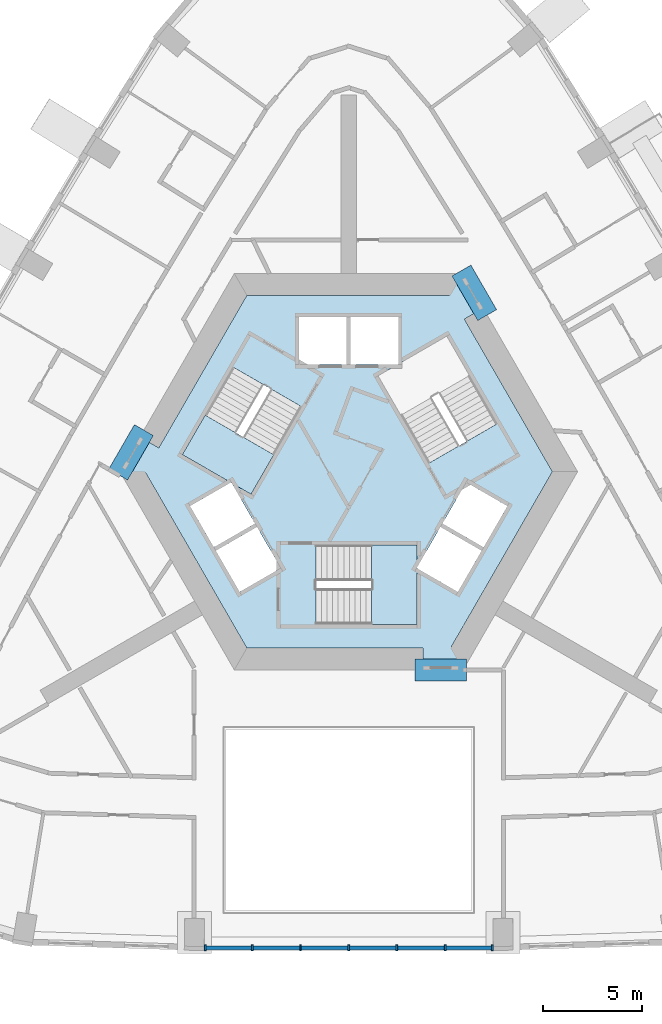
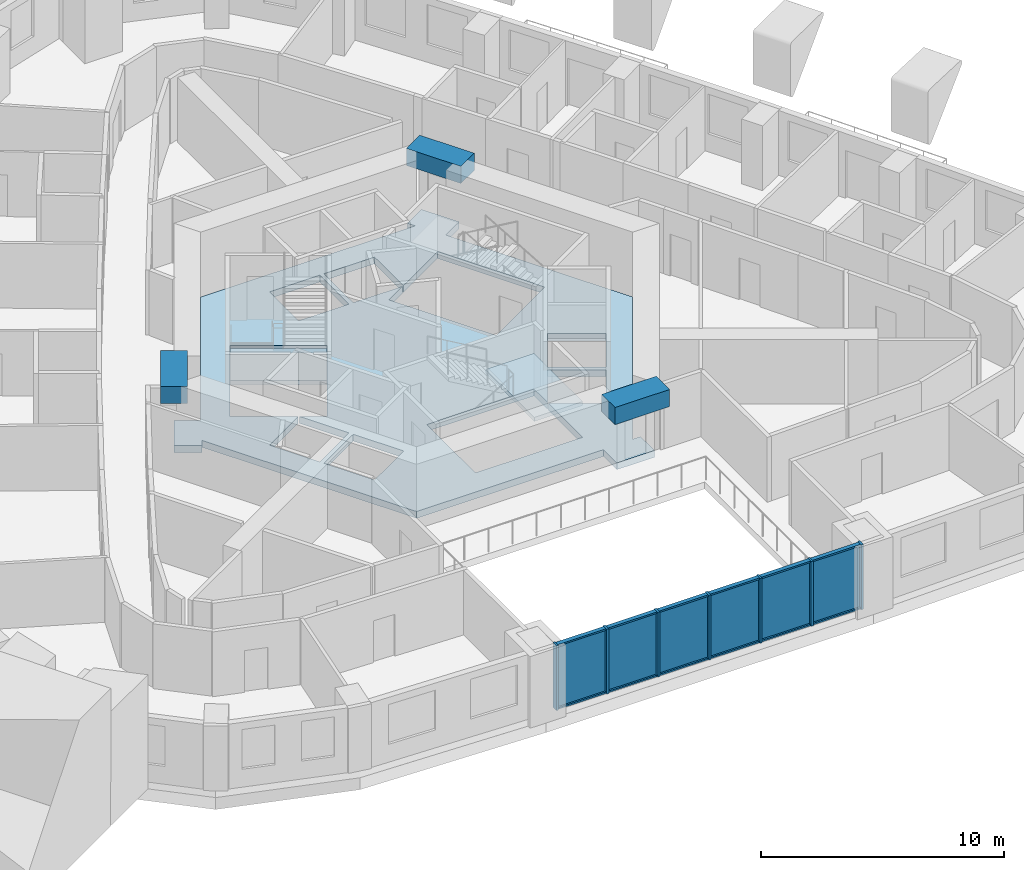
# One storey, part 2 of 12: 19 members, 6 plates, 3 beams, 3 slabs, 3 elements without a shape of their own.
"""IFC4 building model written with IfcOpenShell, lengths in metres."""

from ifc_helpers import new_model, si_unit, direction, frame, origin, origin_2d, place, context, subcontext, project, spatial, polyline, rectangle, outline, extrude, material, layer, layer_set, material_profile, profile_set, type_object, element, aggregate, save


model = new_model("IFC4")

# Units and contexts
model_context = context("Model", 3, precision=1e-05, world=origin(), true_north=direction((0.0, 1.0)))
body_context = subcontext(model_context, "Body", "Model", "MODEL_VIEW")
ifc_project = project(units=[si_unit("LENGTHUNIT", "METRE"), si_unit("AREAUNIT", "SQUARE_METRE"), si_unit("VOLUMEUNIT", "CUBIC_METRE"), si_unit("PLANEANGLEUNIT", "RADIAN"), si_unit("MASSUNIT", "GRAM", prefix="KILO")], contexts=[model_context])

# Site, building, storey
site_placement = place(None, origin())
site = spatial("IfcSite", under=ifc_project, at=site_placement, CompositionType="ELEMENT")
building_placement = place(site_placement, origin())
building = spatial("IfcBuilding", under=site, at=building_placement, Name="Entoto Arch Interchange Tower", CompositionType="ELEMENT")
storey_placement = place(building_placement, frame((0.0, 0.0, 273.800048828125)))
storey = spatial("IfcBuildingStorey", under=building, at=storey_placement, Name="L63", CompositionType="ELEMENT", Elevation=273.800048828125)

# Beams
ifc_material_1 = material(Name="Concrete C40/50", Category="concrete")
ifc_material_profile_1 = material_profile(ifc_material_1, rectangle(XDim=1.10009765625, YDim=0.860107421875, at=origin_2d()))
ifc_profile_set_1 = profile_set([ifc_material_profile_1], Name="Concrete C40/50")
beam_type = type_object("IfcBeamType", Name="Coupling beam RC 1100x860 C40/50", PredefinedType="BEAM", material=ifc_profile_set_1)
beam_1_placement = place(storey_placement, frame((6.986083984375, 10.40087890625, 2.829833984375), z_axis=(-0.500379508478, 0.865806183562, 0.0), x_axis=(-0.865806183562, -0.500379508478, 0.0)))
element("IfcBeam", 1, at=beam_1_placement, inside=storey, type_object=beam_type, Name="Coupling beam NE L63", PredefinedType="BEAM", context=body_context, shape_type="SweptSolid", body=[
    extrude(rectangle(XDim=1.10009765625, YDim=0.860107421875, at=origin_2d()), origin(), (0.0, 0.0, 1.0), 2.59423828125),
])
beam_2_placement = place(storey_placement, frame((-10.3359375, 4.59912109375, 2.829833984375), z_axis=(-0.499814819145, -0.866132291606, 0.0), x_axis=(0.866132291606, -0.499814819145, 0.0)))
element("IfcBeam", 2, at=beam_2_placement, inside=storey, type_object=beam_type, Name="Coupling beam NW L63", PredefinedType="BEAM", context=body_context, shape_type="SweptSolid", body=[
    extrude(rectangle(XDim=1.10009765625, YDim=0.860107421875, at=origin_2d()), origin(), (0.0, 0.0, 1.0), 2.59326171875),
])
beam_3_placement = place(storey_placement, frame((3.35009765625, -7.5, 2.829833984375), z_axis=(1.0, 0.0, 0.0), x_axis=(0.0, 1.0, 0.0)))
element("IfcBeam", 3, at=beam_3_placement, inside=storey, type_object=beam_type, Name="Coupling beam S L63", PredefinedType="BEAM", context=body_context, shape_type="SweptSolid", body=[
    extrude(rectangle(XDim=1.10009765625, YDim=0.860107421875, at=origin_2d()), origin(), (0.0, 0.0, 1.0), 2.593994140625),
])

# Curtain wall, members
ifc_material_2 = material(Name="Aluminium, anodised", Category="aluminium")
curtain_wall_type = type_object("IfcCurtainWallType", Name="CURTAIN WALL ATRIUM", PredefinedType="NOTDEFINED", material=ifc_material_2)
curtain_wall_placement = place(storey_placement, origin())
curtain_wall = element("IfcCurtainWall", 4, at=curtain_wall_placement, inside=storey, type_object=curtain_wall_type, Name="Atrium glazing S-02 L63", PredefinedType="NOTDEFINED")
ifc_material_profile_2 = material_profile(ifc_material_2, rectangle(XDim=0.300048828125, YDim=0.10009765625, at=origin_2d()))
ifc_profile_set_2 = profile_set([ifc_material_profile_2], Name="Aluminium, anodised")
member_type_1 = type_object("IfcMemberType", Name="MULLION ATRIUM 100x300", PredefinedType="MULLION", material=ifc_profile_set_2)
member_1_placement = place(storey_placement, frame((-7.2490234375, -21.52490234375, 0.0), z_axis=(0.0, 0.0, 1.0), x_axis=(0.0, 1.0, 0.0)))
member_1 = element("IfcMember", 5, at=member_1_placement, type_object=member_type_1, Name="CWA mullion 1", PredefinedType="MULLION", context=body_context, shape_type="SweptSolid", body=[
    extrude(rectangle(XDim=0.300048828125, YDim=0.10009765625, at=origin_2d()), origin(), (0.0, 0.0, 1.0), 3.260009765625),
])
member_2_placement = place(storey_placement, frame((-4.865966796875, -21.52490234375, 0.0), z_axis=(0.0, 0.0, 1.0), x_axis=(0.0, 1.0, 0.0)))
member_2 = element("IfcMember", 6, at=member_2_placement, type_object=member_type_1, Name="CWA mullion 2", PredefinedType="MULLION", context=body_context, shape_type="SweptSolid", body=[
    extrude(rectangle(XDim=0.300048828125, YDim=0.10009765625, at=origin_2d()), origin(), (0.0, 0.0, 1.0), 3.260009765625),
])
member_3_placement = place(storey_placement, frame((-2.43310546875, -21.52490234375, 0.0), z_axis=(0.0, 0.0, 1.0), x_axis=(0.0, 1.0, 0.0)))
member_3 = element("IfcMember", 7, at=member_3_placement, type_object=member_type_1, Name="CWA mullion 3", PredefinedType="MULLION", context=body_context, shape_type="SweptSolid", body=[
    extrude(rectangle(XDim=0.300048828125, YDim=0.10009765625, at=origin_2d()), origin(), (0.0, 0.0, 1.0), 3.260009765625),
])
member_4_placement = place(storey_placement, frame((0.0, -21.52490234375, 0.0), z_axis=(0.0, 0.0, 1.0), x_axis=(0.0, 1.0, 0.0)))
member_4 = element("IfcMember", 8, at=member_4_placement, type_object=member_type_1, Name="CWA mullion 4", PredefinedType="MULLION", context=body_context, shape_type="SweptSolid", body=[
    extrude(rectangle(XDim=0.300048828125, YDim=0.10009765625, at=origin_2d()), origin(), (0.0, 0.0, 1.0), 3.260009765625),
])
member_5_placement = place(storey_placement, frame((2.43310546875, -21.52490234375, 0.0), z_axis=(0.0, 0.0, 1.0), x_axis=(0.0, 1.0, 0.0)))
member_5 = element("IfcMember", 9, at=member_5_placement, type_object=member_type_1, Name="CWA mullion 5", PredefinedType="MULLION", context=body_context, shape_type="SweptSolid", body=[
    extrude(rectangle(XDim=0.300048828125, YDim=0.10009765625, at=origin_2d()), origin(), (0.0, 0.0, 1.0), 3.260009765625),
])
member_6_placement = place(storey_placement, frame((4.865966796875, -21.52490234375, 0.0), z_axis=(0.0, 0.0, 1.0), x_axis=(0.0, 1.0, 0.0)))
member_6 = element("IfcMember", 10, at=member_6_placement, type_object=member_type_1, Name="CWA mullion 6", PredefinedType="MULLION", context=body_context, shape_type="SweptSolid", body=[
    extrude(rectangle(XDim=0.300048828125, YDim=0.10009765625, at=origin_2d()), origin(), (0.0, 0.0, 1.0), 3.260009765625),
])
member_7_placement = place(storey_placement, frame((7.2490234375, -21.52490234375, 0.0), z_axis=(0.0, 0.0, 1.0), x_axis=(0.0, 1.0, 0.0)))
member_7 = element("IfcMember", 11, at=member_7_placement, type_object=member_type_1, Name="CWA mullion 7", PredefinedType="MULLION", context=body_context, shape_type="SweptSolid", body=[
    extrude(rectangle(XDim=0.300048828125, YDim=0.10009765625, at=origin_2d()), origin(), (0.0, 0.0, 1.0), 3.260009765625),
])
ifc_material_profile_3 = material_profile(ifc_material_2, rectangle(XDim=0.199951171875, YDim=0.080078125, at=origin_2d()))
ifc_profile_set_3 = profile_set([ifc_material_profile_3], Name="Aluminium, anodised")
member_type_2 = type_object("IfcMemberType", Name="TRANSOM ATRIUM 80x200", PredefinedType="USERDEFINED", material=ifc_profile_set_3)
member_8_placement = place(storey_placement, frame((-7.198974609375, -21.52490234375, 0.0400390625), z_axis=(1.0, 0.0, 0.0), x_axis=(0.0, 1.0, 0.0)))
member_8 = element("IfcMember", 12, at=member_8_placement, type_object=member_type_2, Name="CWA transom 1.1", ObjectType="TRANSOM", PredefinedType="USERDEFINED", context=body_context, shape_type="SweptSolid", body=[
    extrude(rectangle(XDim=0.199951171875, YDim=0.080078125, at=origin_2d()), origin(), (0.0, 0.0, 1.0), 2.282958984375),
])
member_9_placement = place(storey_placement, frame((-7.198974609375, -21.52490234375, 3.219970703125), z_axis=(1.0, 0.0, 0.0), x_axis=(0.0, 1.0, 0.0)))
member_9 = element("IfcMember", 13, at=member_9_placement, type_object=member_type_2, Name="CWA transom 1.2", ObjectType="TRANSOM", PredefinedType="USERDEFINED", context=body_context, shape_type="SweptSolid", body=[
    extrude(rectangle(XDim=0.199951171875, YDim=0.080078125, at=origin_2d()), origin(), (0.0, 0.0, 1.0), 2.282958984375),
])
member_10_placement = place(storey_placement, frame((-4.81591796875, -21.52490234375, 0.0400390625), z_axis=(1.0, 0.0, 0.0), x_axis=(0.0, 1.0, 0.0)))
member_10 = element("IfcMember", 14, at=member_10_placement, type_object=member_type_2, Name="CWA transom 2.1", ObjectType="TRANSOM", PredefinedType="USERDEFINED", context=body_context, shape_type="SweptSolid", body=[
    extrude(rectangle(XDim=0.199951171875, YDim=0.080078125, at=origin_2d()), origin(), (0.0, 0.0, 1.0), 2.3330078125),
])
member_11_placement = place(storey_placement, frame((-4.81591796875, -21.52490234375, 3.219970703125), z_axis=(1.0, 0.0, 0.0), x_axis=(0.0, 1.0, 0.0)))
member_11 = element("IfcMember", 15, at=member_11_placement, type_object=member_type_2, Name="CWA transom 2.2", ObjectType="TRANSOM", PredefinedType="USERDEFINED", context=body_context, shape_type="SweptSolid", body=[
    extrude(rectangle(XDim=0.199951171875, YDim=0.080078125, at=origin_2d()), origin(), (0.0, 0.0, 1.0), 2.3330078125),
])
member_12_placement = place(storey_placement, frame((-2.383056640625, -21.52490234375, 0.0400390625), z_axis=(1.0, 0.0, 0.0), x_axis=(0.0, 1.0, 0.0)))
member_12 = element("IfcMember", 16, at=member_12_placement, type_object=member_type_2, Name="CWA transom 3.1", ObjectType="TRANSOM", PredefinedType="USERDEFINED", context=body_context, shape_type="SweptSolid", body=[
    extrude(rectangle(XDim=0.199951171875, YDim=0.080078125, at=origin_2d()), origin(), (0.0, 0.0, 1.0), 2.3330078125),
])
member_13_placement = place(storey_placement, frame((-2.383056640625, -21.52490234375, 3.219970703125), z_axis=(1.0, 0.0, 0.0), x_axis=(0.0, 1.0, 0.0)))
member_13 = element("IfcMember", 17, at=member_13_placement, type_object=member_type_2, Name="CWA transom 3.2", ObjectType="TRANSOM", PredefinedType="USERDEFINED", context=body_context, shape_type="SweptSolid", body=[
    extrude(rectangle(XDim=0.199951171875, YDim=0.080078125, at=origin_2d()), origin(), (0.0, 0.0, 1.0), 2.3330078125),
])
member_14_placement = place(storey_placement, frame((0.050048828125, -21.52490234375, 0.0400390625), z_axis=(1.0, 0.0, 0.0), x_axis=(0.0, 1.0, 0.0)))
member_14 = element("IfcMember", 18, at=member_14_placement, type_object=member_type_2, Name="CWA transom 4.1", ObjectType="TRANSOM", PredefinedType="USERDEFINED", context=body_context, shape_type="SweptSolid", body=[
    extrude(rectangle(XDim=0.199951171875, YDim=0.080078125, at=origin_2d()), origin(), (0.0, 0.0, 1.0), 2.3330078125),
])
member_15_placement = place(storey_placement, frame((0.050048828125, -21.52490234375, 3.219970703125), z_axis=(1.0, 0.0, 0.0), x_axis=(0.0, 1.0, 0.0)))
member_15 = element("IfcMember", 19, at=member_15_placement, type_object=member_type_2, Name="CWA transom 4.2", ObjectType="TRANSOM", PredefinedType="USERDEFINED", context=body_context, shape_type="SweptSolid", body=[
    extrude(rectangle(XDim=0.199951171875, YDim=0.080078125, at=origin_2d()), origin(), (0.0, 0.0, 1.0), 2.3330078125),
])
member_16_placement = place(storey_placement, frame((2.48291015625, -21.52490234375, 0.0400390625), z_axis=(1.0, 0.0, 0.0), x_axis=(0.0, 1.0, 0.0)))
member_16 = element("IfcMember", 20, at=member_16_placement, type_object=member_type_2, Name="CWA transom 5.1", ObjectType="TRANSOM", PredefinedType="USERDEFINED", context=body_context, shape_type="SweptSolid", body=[
    extrude(rectangle(XDim=0.199951171875, YDim=0.080078125, at=origin_2d()), origin(), (0.0, 0.0, 1.0), 2.3330078125),
])
member_17_placement = place(storey_placement, frame((2.48291015625, -21.52490234375, 3.219970703125), z_axis=(1.0, 0.0, 0.0), x_axis=(0.0, 1.0, 0.0)))
member_17 = element("IfcMember", 21, at=member_17_placement, type_object=member_type_2, Name="CWA transom 5.2", ObjectType="TRANSOM", PredefinedType="USERDEFINED", context=body_context, shape_type="SweptSolid", body=[
    extrude(rectangle(XDim=0.199951171875, YDim=0.080078125, at=origin_2d()), origin(), (0.0, 0.0, 1.0), 2.3330078125),
])
member_18_placement = place(storey_placement, frame((4.916015625, -21.52490234375, 0.0400390625), z_axis=(1.0, 0.0, 0.0), x_axis=(0.0, 1.0, 0.0)))
member_18 = element("IfcMember", 22, at=member_18_placement, type_object=member_type_2, Name="CWA transom 6.1", ObjectType="TRANSOM", PredefinedType="USERDEFINED", context=body_context, shape_type="SweptSolid", body=[
    extrude(rectangle(XDim=0.199951171875, YDim=0.080078125, at=origin_2d()), origin(), (0.0, 0.0, 1.0), 2.282958984375),
])
member_19_placement = place(storey_placement, frame((4.916015625, -21.52490234375, 3.219970703125), z_axis=(1.0, 0.0, 0.0), x_axis=(0.0, 1.0, 0.0)))
member_19 = element("IfcMember", 23, at=member_19_placement, type_object=member_type_2, Name="CWA transom 6.2", ObjectType="TRANSOM", PredefinedType="USERDEFINED", context=body_context, shape_type="SweptSolid", body=[
    extrude(rectangle(XDim=0.199951171875, YDim=0.080078125, at=origin_2d()), origin(), (0.0, 0.0, 1.0), 2.282958984375),
])

# Slab
ifc_layer_1 = layer(ifc_material_1, 0.340087890625)
ifc_layer_set_1 = layer_set([ifc_layer_1], Name="Concrete C40/50")
slab_type_1 = type_object("IfcSlabType", Name="Core floor slab 340 C40/50", PredefinedType="FLOOR", material=ifc_layer_set_1)
slab_1_placement = place(storey_placement, frame((0.0, 0.0, -0.340087890625)))
element("IfcSlab", 24, at=slab_1_placement, inside=storey, type_object=slab_type_1, Name="Core floor slab L63", PredefinedType="FLOOR", context=body_context, shape_type="SweptSolid", body=[
    extrude(outline(polyline([(-10.248046875, 2.449951171875), (-10.43701171875, 2.1240234375), (-11.431884765625, 2.698974609375), (-10.535888671875, 4.2529296875), (-9.5830078125, 3.702880859375), (-5.137939453125, 11.39990234375), (5.0810546875, 11.39990234375), (4.89306640625, 11.72607421875), (5.887939453125, 12.301025390625), (6.784912109375, 10.7470703125), (5.8330078125, 10.197021484375), (10.277099609375, 2.5), (5.1669921875, -6.35009765625), (5.5439453125, -6.35009765625), (5.5439453125, -7.5), (3.75, -7.5), (3.75, -6.39990234375), (-5.137939453125, -6.39990234375), (-10.248046875, 2.449951171875)]), holes=[polyline([(-1.64990234375, -5.199951171875), (3.449951171875, -5.199951171875), (3.449951171875, -2.3779296875), (5.5048828125, -3.56494140625), (6.705078125, -1.487060546875), (4.626953125, -0.287109375), (3.449951171875, -2.324951171875), (3.449951171875, -1.199951171875), (-1.64990234375, -1.199951171875), (-1.64990234375, -5.199951171875)]), polyline([(-4.626953125, -0.287109375), (-6.705078125, -1.487060546875), (-5.5048828125, -3.56494140625), (-3.427001953125, -2.364990234375), (-4.626953125, -0.287109375)]), polyline([(-5.904052734375, 1.925048828125), (-4.928955078125, 1.362060546875), (-2.37890625, 5.779052734375), (-5.843017578125, 7.779052734375), (-8.39306640625, 3.362060546875), (-5.949951171875, 1.951904296875), (-8.0048828125, 0.764892578125), (-6.804931640625, -1.31298828125), (-4.72705078125, -0.113037109375), (-5.904052734375, 1.925048828125)]), polyline([(4.72705078125, -0.113037109375), (6.804931640625, -1.31298828125), (8.0048828125, 0.764892578125), (5.927001953125, 1.965087890625), (4.72705078125, -0.113037109375)]), polyline([(2.5, 7.927001953125), (2.5, 10.300048828125), (0.10009765625, 10.300048828125), (0.10009765625, 7.89990234375), (2.452880859375, 7.89990234375), (1.47900390625, 7.337890625), (4.029052734375, 2.9208984375), (7.492919921875, 4.9208984375), (4.943115234375, 9.337890625), (2.5, 7.927001953125)]), polyline([(-2.5, 7.89990234375), (-0.10009765625, 7.89990234375), (-0.10009765625, 10.300048828125), (-2.5, 10.300048828125), (-2.5, 7.89990234375)])]), origin(), (0.0, 0.0, 1.0), 0.340087890625),
])

# Stair, slab
stair_type = type_object("IfcStairType", Name="EXIT STAIR RC 1800", PredefinedType="HALF_TURN_STAIR", material=ifc_material_1)
stair_1_placement = place(storey_placement, origin())
stair_1 = element("IfcStair", 25, at=stair_1_placement, inside=storey, type_object=stair_type, Name="L63 Exit stair S", PredefinedType="HALF_TURN_STAIR")
ifc_layer_2 = layer(ifc_material_1, 0.199951171875)
ifc_layer_set_2 = layer_set([ifc_layer_2], Name="Concrete C40/50")
slab_type_2 = type_object("IfcSlabType", Name="EXIT STAIR LANDING RC 200", PredefinedType="LANDING", material=ifc_layer_set_2)
slab_2_placement = place(storey_placement, frame((0.0, 0.0, 1.599853515625)))
slab_2 = element("IfcSlab", 26, at=slab_2_placement, type_object=slab_type_2, Name="ST-S landing 1", PredefinedType="LANDING", context=body_context, shape_type="SweptSolid", body=[
    extrude(outline(polyline([(1.14990234375, -5.199951171875), (3.449951171875, -5.199951171875), (3.449951171875, -1.199951171875), (1.14990234375, -1.199951171875), (1.14990234375, -5.199951171875)])), origin(), (0.0, 0.0, 1.0), 0.2001953125),
])
aggregate(stair_1, [slab_2])

stair_2_placement = place(storey_placement, origin())
stair_2 = element("IfcStair", 27, at=stair_2_placement, inside=storey, type_object=stair_type, Name="L63 Exit stair NW", PredefinedType="HALF_TURN_STAIR")
slab_3_placement = place(storey_placement, frame((0.0, 0.0, 1.599853515625)))
slab_3 = element("IfcSlab", 28, at=slab_3_placement, type_object=slab_type_2, Name="ST-NW landing 1", PredefinedType="LANDING", context=body_context, shape_type="SweptSolid", body=[
    extrude(outline(polyline([(-7.243408203125, 5.35400390625), (-8.393310546875, 3.3623046875), (-4.92919921875, 1.3623046875), (-3.779296875, 3.35400390625), (-7.243408203125, 5.35400390625)])), origin(), (0.0, 0.0, 1.0), 0.2001953125),
])
aggregate(stair_2, [slab_3])

# Plate
ifc_material_3 = material(Name="Clear glass, low-e double glazed", Category="glass")
ifc_layer_3 = layer(ifc_material_3, 0.031982421875)
ifc_layer_set_3 = layer_set([ifc_layer_3], Name="Clear glass, low-e double glazed")
plate_type = type_object("IfcPlateType", Name="GLAZING PANEL ATRIUM 32", PredefinedType="CURTAIN_PANEL", material=ifc_layer_set_3)
plate_1_placement = place(storey_placement, frame((-6.0576171875, -21.52490234375, 0.079833984375), z_axis=(0.0, 0.0, 1.0), x_axis=(1.0, 0.0, 0.0)))
plate_1 = element("IfcPlate", 29, at=plate_1_placement, type_object=plate_type, Name="CWA panel 1.1", PredefinedType="CURTAIN_PANEL", context=body_context, shape_type="SweptSolid", body=[
    extrude(rectangle(XDim=2.282958984375, YDim=0.031982421875, at=origin_2d()), origin(), (0.0, 0.0, 1.0), 3.10009765625),
])

plate_2_placement = place(storey_placement, frame((-3.6494140625, -21.52490234375, 0.079833984375), z_axis=(0.0, 0.0, 1.0), x_axis=(1.0, 0.0, 0.0)))
plate_2 = element("IfcPlate", 30, at=plate_2_placement, type_object=plate_type, Name="CWA panel 2.1", PredefinedType="CURTAIN_PANEL", context=body_context, shape_type="SweptSolid", body=[
    extrude(rectangle(XDim=2.3330078125, YDim=0.031982421875, at=origin_2d()), origin(), (0.0, 0.0, 1.0), 3.10009765625),
])

plate_3_placement = place(storey_placement, frame((-1.216552734375, -21.52490234375, 0.079833984375), z_axis=(0.0, 0.0, 1.0), x_axis=(1.0, 0.0, 0.0)))
plate_3 = element("IfcPlate", 31, at=plate_3_placement, type_object=plate_type, Name="CWA panel 3.1", PredefinedType="CURTAIN_PANEL", context=body_context, shape_type="SweptSolid", body=[
    extrude(rectangle(XDim=2.3330078125, YDim=0.031982421875, at=origin_2d()), origin(), (0.0, 0.0, 1.0), 3.10009765625),
])

plate_4_placement = place(storey_placement, frame((1.216552734375, -21.52490234375, 0.079833984375), z_axis=(0.0, 0.0, 1.0), x_axis=(1.0, 0.0, 0.0)))
plate_4 = element("IfcPlate", 32, at=plate_4_placement, type_object=plate_type, Name="CWA panel 4.1", PredefinedType="CURTAIN_PANEL", context=body_context, shape_type="SweptSolid", body=[
    extrude(rectangle(XDim=2.3330078125, YDim=0.031982421875, at=origin_2d()), origin(), (0.0, 0.0, 1.0), 3.10009765625),
])

plate_5_placement = place(storey_placement, frame((3.6494140625, -21.52490234375, 0.079833984375), z_axis=(0.0, 0.0, 1.0), x_axis=(1.0, 0.0, 0.0)))
plate_5 = element("IfcPlate", 33, at=plate_5_placement, type_object=plate_type, Name="CWA panel 5.1", PredefinedType="CURTAIN_PANEL", context=body_context, shape_type="SweptSolid", body=[
    extrude(rectangle(XDim=2.3330078125, YDim=0.031982421875, at=origin_2d()), origin(), (0.0, 0.0, 1.0), 3.10009765625),
])

plate_6_placement = place(storey_placement, frame((6.0576171875, -21.52490234375, 0.079833984375), z_axis=(0.0, 0.0, 1.0), x_axis=(1.0, 0.0, 0.0)))
plate_6 = element("IfcPlate", 34, at=plate_6_placement, type_object=plate_type, Name="CWA panel 6.1", PredefinedType="CURTAIN_PANEL", context=body_context, shape_type="SweptSolid", body=[
    extrude(rectangle(XDim=2.282958984375, YDim=0.031982421875, at=origin_2d()), origin(), (0.0, 0.0, 1.0), 3.10009765625),
])

aggregate(curtain_wall, [member_1, member_2, member_3, member_4, member_5, member_6, member_7, member_8, member_9, plate_1, member_10, member_11, plate_2, member_12, member_13, plate_3, member_14, member_15, plate_4, member_16, member_17, plate_5, member_18, member_19, plate_6])

save(model, "model.ifc")
